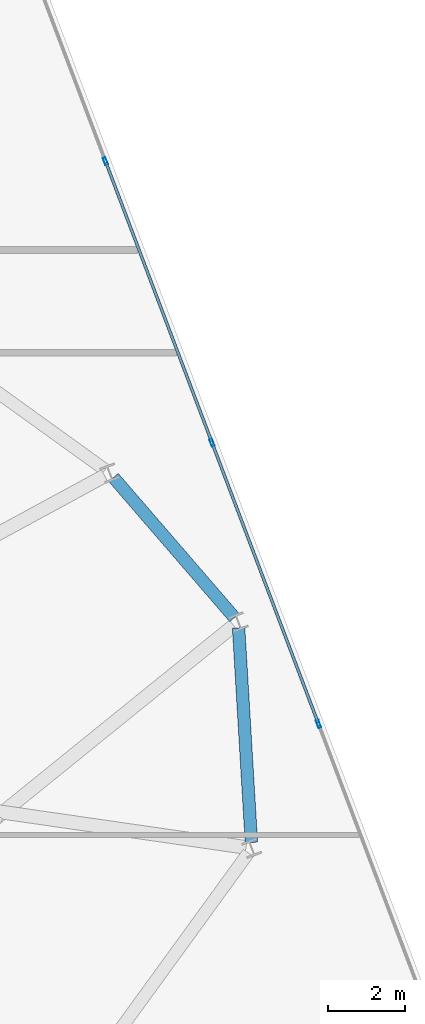
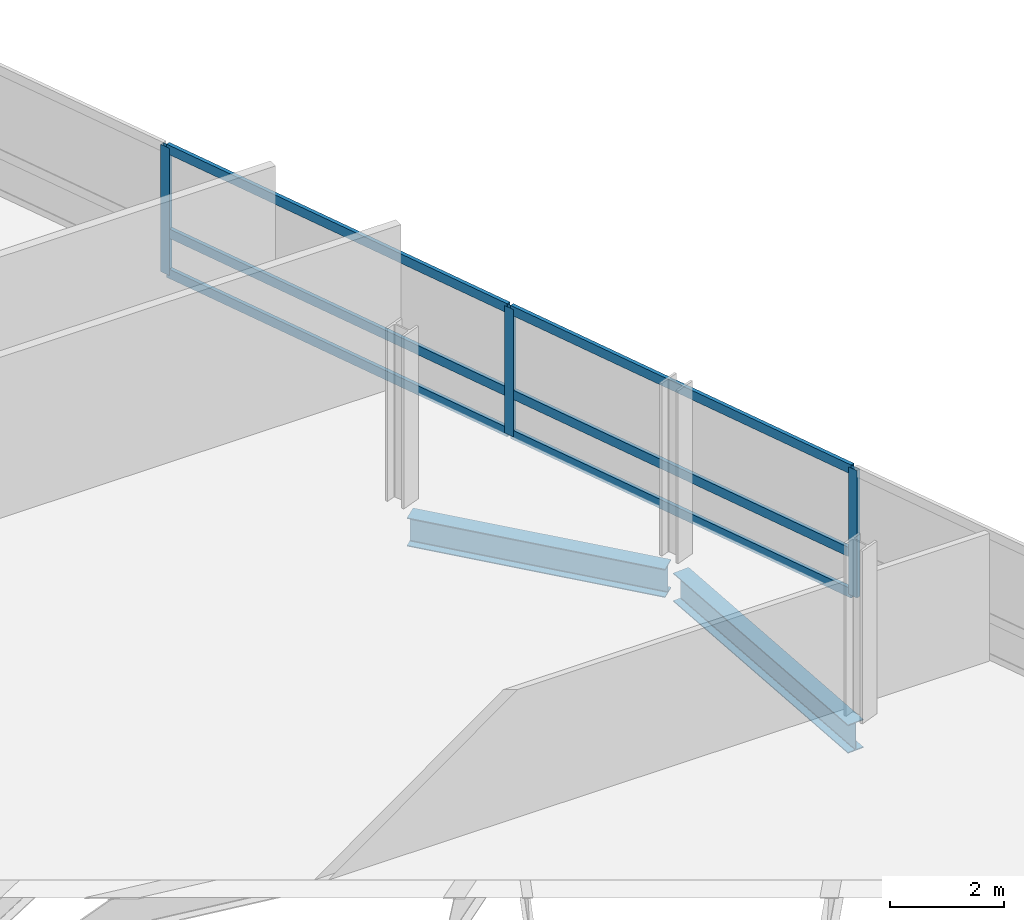
# One storey, part 12 of 20: 9 members, 2 beams, 1 element without a shape of its own.
"""IFC4 building model written with IfcOpenShell, lengths in metres."""

from ifc_helpers import new_model, si_unit, direction, frame, origin, origin_2d, place, context, subcontext, project, spatial, hollow_rectangle, i_section, extrude, material, layer, layer_set, material_profile, profile_set, type_object, element, aggregate, save


model = new_model("IFC4")

# Units and contexts
model_context = context("Model", 3, precision=1e-05, world=origin(), true_north=direction((0.0, 1.0)))
body_context = subcontext(model_context, "Body", "Model", "MODEL_VIEW")
ifc_project = project(units=[si_unit("LENGTHUNIT", "METRE"), si_unit("AREAUNIT", "SQUARE_METRE"), si_unit("VOLUMEUNIT", "CUBIC_METRE"), si_unit("PLANEANGLEUNIT", "RADIAN"), si_unit("MASSUNIT", "GRAM", prefix="KILO")], contexts=[model_context])

# Site, building, storey
site_placement = place(None, origin())
site = spatial("IfcSite", under=ifc_project, at=site_placement, CompositionType="ELEMENT")
building_placement = place(site_placement, origin())
building = spatial("IfcBuilding", under=site, at=building_placement, Name="Varnelok Gate Tower", CompositionType="ELEMENT")
storey_placement = place(building_placement, frame((0.0, 0.0, 234.89990234375)))
storey = spatial("IfcBuildingStorey", under=building, at=storey_placement, Name="L60", CompositionType="ELEMENT", Elevation=234.89990234375)

# Beams
ifc_material_1 = material(Name="Structural Steel ASTM A992 Grade 50", Category="steel")
ifc_material_profile_1 = material_profile(ifc_material_1, i_section(OverallWidth=0.323974609375, OverallDepth=0.611083984375, WebThickness=0.0126953125, FlangeThickness=0.01904296875, FilletRadius=0.01806640625, at=origin_2d()), Name="W24X104")
ifc_profile_set_1 = profile_set([ifc_material_profile_1], Name="Structural Steel ASTM A992 Grade 50")
beam_type = type_object("IfcBeamType", Name="BM-SPN-W24X104", PredefinedType="SPANDREL", material=ifc_profile_set_1)
beam_1_placement = place(storey_placement, frame((71.046142578125, 26.60302734375, -0.555419921875), z_axis=(-0.059494461707, 0.998228635647, 0.0), x_axis=(-0.998228635647, -0.059494461707, 0.0)))
element("IfcBeam", 1, at=beam_1_placement, inside=storey, type_object=beam_type, Name="L60 Perimeter Spandrel Beam 6", PredefinedType="SPANDREL", context=body_context, shape_type="SweptSolid", body=[
    extrude(i_section(OverallWidth=0.323974609375, OverallDepth=0.611083984375, WebThickness=0.0126953125, FlangeThickness=0.01904296875, FilletRadius=0.01806640625, at=origin_2d()), origin(), (0.0, 0.0, 1.0), 5.57666015625),
])
beam_2_placement = place(storey_placement, frame((70.607421875, 32.43310546875, -0.555419921875), z_axis=(-0.653480804386, 0.756943087886, 0.0), x_axis=(-0.756943087886, -0.653480804386, 0.0)))
element("IfcBeam", 2, at=beam_2_placement, inside=storey, type_object=beam_type, Name="L60 Perimeter Spandrel Beam 7", PredefinedType="SPANDREL", context=body_context, shape_type="SweptSolid", body=[
    extrude(i_section(OverallWidth=0.323974609375, OverallDepth=0.611083984375, WebThickness=0.0126953125, FlangeThickness=0.01904296875, FilletRadius=0.01806640625, at=origin_2d()), origin(), (0.0, 0.0, 1.0), 4.799560546875),
])

# Curtain wall, members
ifc_material_2 = material(Name="Anodized Aluminum Alloy 6063-T6", Category="aluminium")
ifc_layer = layer(ifc_material_2, 0.179931640625)
ifc_layer_set = layer_set([ifc_layer], Name="Anodized Aluminum Alloy 6063-T6")
curtain_wall_type = type_object("IfcCurtainWallType", Name="CW4-RESIDENCE-VISION", PredefinedType="USERDEFINED", material=ifc_layer_set)
curtain_wall_placement = place(storey_placement, origin())
curtain_wall = element("IfcCurtainWall", 3, at=curtain_wall_placement, inside=storey, type_object=curtain_wall_type, Name="L60 East End Vision Curtain Wall", ObjectType="UNITISED CURTAIN WALL", PredefinedType="USERDEFINED")
ifc_material_profile_2 = material_profile(ifc_material_2, hollow_rectangle(XDim=0.074951171875, YDim=0.199951171875, WallThickness=0.00390625, at=origin_2d()), Name="ALU200X75X4")
ifc_profile_set_2 = profile_set([ifc_material_profile_2], Name="Anodized Aluminum Alloy 6063-T6")
member_type_1 = type_object("IfcMemberType", Name="CW-MULL-200", PredefinedType="MULLION", material=ifc_profile_set_2)
member_1_placement = place(storey_placement, frame((67.26318359375, 44.2646484375, 0.0), z_axis=(0.0, 0.0, 1.0), x_axis=(0.935221557832, 0.354063042079, 0.0)))
member_1 = element("IfcMember", 4, at=member_1_placement, type_object=member_type_1, Name="CW4 mullion 2", PredefinedType="MULLION", context=body_context, shape_type="SweptSolid", body=[
    extrude(hollow_rectangle(XDim=0.074951171875, YDim=0.199951171875, WallThickness=0.00390625, at=origin_2d()), origin(), (0.0, 0.0, 1.0), 2.72998046875),
])
member_2_placement = place(storey_placement, frame((70.02490234375, 36.969970703125, 0.0), z_axis=(0.0, 0.0, 1.0), x_axis=(0.935221557832, 0.354063042079, 0.0)))
member_2 = element("IfcMember", 5, at=member_2_placement, type_object=member_type_1, Name="CW4 mullion 3", PredefinedType="MULLION", context=body_context, shape_type="SweptSolid", body=[
    extrude(hollow_rectangle(XDim=0.074951171875, YDim=0.199951171875, WallThickness=0.00390625, at=origin_2d()), origin(), (0.0, 0.0, 1.0), 2.72998046875),
])
member_3_placement = place(storey_placement, frame((72.78662109375, 29.675048828125, 0.0), z_axis=(0.0, 0.0, 1.0), x_axis=(0.935221557832, 0.354063042079, 0.0)))
member_3 = element("IfcMember", 6, at=member_3_placement, type_object=member_type_1, Name="CW4 mullion 4", PredefinedType="MULLION", context=body_context, shape_type="SweptSolid", body=[
    extrude(hollow_rectangle(XDim=0.074951171875, YDim=0.199951171875, WallThickness=0.00390625, at=origin_2d()), origin(), (0.0, 0.0, 1.0), 2.72998046875),
])
ifc_material_profile_3 = material_profile(ifc_material_2, hollow_rectangle(XDim=0.074951171875, YDim=0.199951171875, WallThickness=0.00390625, at=origin_2d()), Name="ALU200X75X4")
ifc_profile_set_3 = profile_set([ifc_material_profile_3], Name="Anodized Aluminum Alloy 6063-T6")
member_type_2 = type_object("IfcMemberType", Name="CW-TRAN-200", PredefinedType="USERDEFINED", material=ifc_profile_set_3)
member_4_placement = place(storey_placement, frame((67.2763671875, 44.2294921875, 0.03759765625), z_axis=(0.354086355793, -0.935212731223, 0.0), x_axis=(0.935212731223, 0.354086355793, 0.0)))
member_4 = element("IfcMember", 7, at=member_4_placement, type_object=member_type_2, Name="CW4 transom 2.1", ObjectType="TRANSOM", PredefinedType="USERDEFINED", context=body_context, shape_type="SweptSolid", body=[
    extrude(hollow_rectangle(XDim=0.074951171875, YDim=0.199951171875, WallThickness=0.00390625, at=origin_2d()), origin(), (0.0, 0.0, 1.0), 7.72509765625),
])
member_5_placement = place(storey_placement, frame((67.2763671875, 44.2294921875, 0.900146484375), z_axis=(0.354086355793, -0.935212731223, 0.0), x_axis=(0.935212731223, 0.354086355793, 0.0)))
member_5 = element("IfcMember", 8, at=member_5_placement, type_object=member_type_2, Name="CW4 transom 2.2", ObjectType="TRANSOM", PredefinedType="USERDEFINED", context=body_context, shape_type="SweptSolid", body=[
    extrude(hollow_rectangle(XDim=0.074951171875, YDim=0.199951171875, WallThickness=0.00390625, at=origin_2d()), origin(), (0.0, 0.0, 1.0), 7.72509765625),
])
member_6_placement = place(storey_placement, frame((67.2763671875, 44.2294921875, 2.692626953125), z_axis=(0.354086355793, -0.935212731223, 0.0), x_axis=(0.935212731223, 0.354086355793, 0.0)))
member_6 = element("IfcMember", 9, at=member_6_placement, type_object=member_type_2, Name="CW4 transom 2.3", ObjectType="TRANSOM", PredefinedType="USERDEFINED", context=body_context, shape_type="SweptSolid", body=[
    extrude(hollow_rectangle(XDim=0.074951171875, YDim=0.199951171875, WallThickness=0.00390625, at=origin_2d()), origin(), (0.0, 0.0, 1.0), 7.72509765625),
])
member_7_placement = place(storey_placement, frame((70.0380859375, 36.934814453125, 0.03759765625), z_axis=(0.354086355793, -0.935212731223, 0.0), x_axis=(0.935212731223, 0.354086355793, 0.0)))
member_7 = element("IfcMember", 10, at=member_7_placement, type_object=member_type_2, Name="CW4 transom 3.1", ObjectType="TRANSOM", PredefinedType="USERDEFINED", context=body_context, shape_type="SweptSolid", body=[
    extrude(hollow_rectangle(XDim=0.074951171875, YDim=0.199951171875, WallThickness=0.00390625, at=origin_2d()), origin(), (0.0, 0.0, 1.0), 7.72509765625),
])
member_8_placement = place(storey_placement, frame((70.0380859375, 36.934814453125, 0.900146484375), z_axis=(0.354086355793, -0.935212731223, 0.0), x_axis=(0.935212731223, 0.354086355793, 0.0)))
member_8 = element("IfcMember", 11, at=member_8_placement, type_object=member_type_2, Name="CW4 transom 3.2", ObjectType="TRANSOM", PredefinedType="USERDEFINED", context=body_context, shape_type="SweptSolid", body=[
    extrude(hollow_rectangle(XDim=0.074951171875, YDim=0.199951171875, WallThickness=0.00390625, at=origin_2d()), origin(), (0.0, 0.0, 1.0), 7.72509765625),
])
member_9_placement = place(storey_placement, frame((70.0380859375, 36.934814453125, 2.692626953125), z_axis=(0.354086355793, -0.935212731223, 0.0), x_axis=(0.935212731223, 0.354086355793, 0.0)))
member_9 = element("IfcMember", 12, at=member_9_placement, type_object=member_type_2, Name="CW4 transom 3.3", ObjectType="TRANSOM", PredefinedType="USERDEFINED", context=body_context, shape_type="SweptSolid", body=[
    extrude(hollow_rectangle(XDim=0.074951171875, YDim=0.199951171875, WallThickness=0.00390625, at=origin_2d()), origin(), (0.0, 0.0, 1.0), 7.72509765625),
])
aggregate(curtain_wall, [member_1, member_2, member_3, member_4, member_5, member_6, member_7, member_8, member_9])

save(model, "model.ifc")
